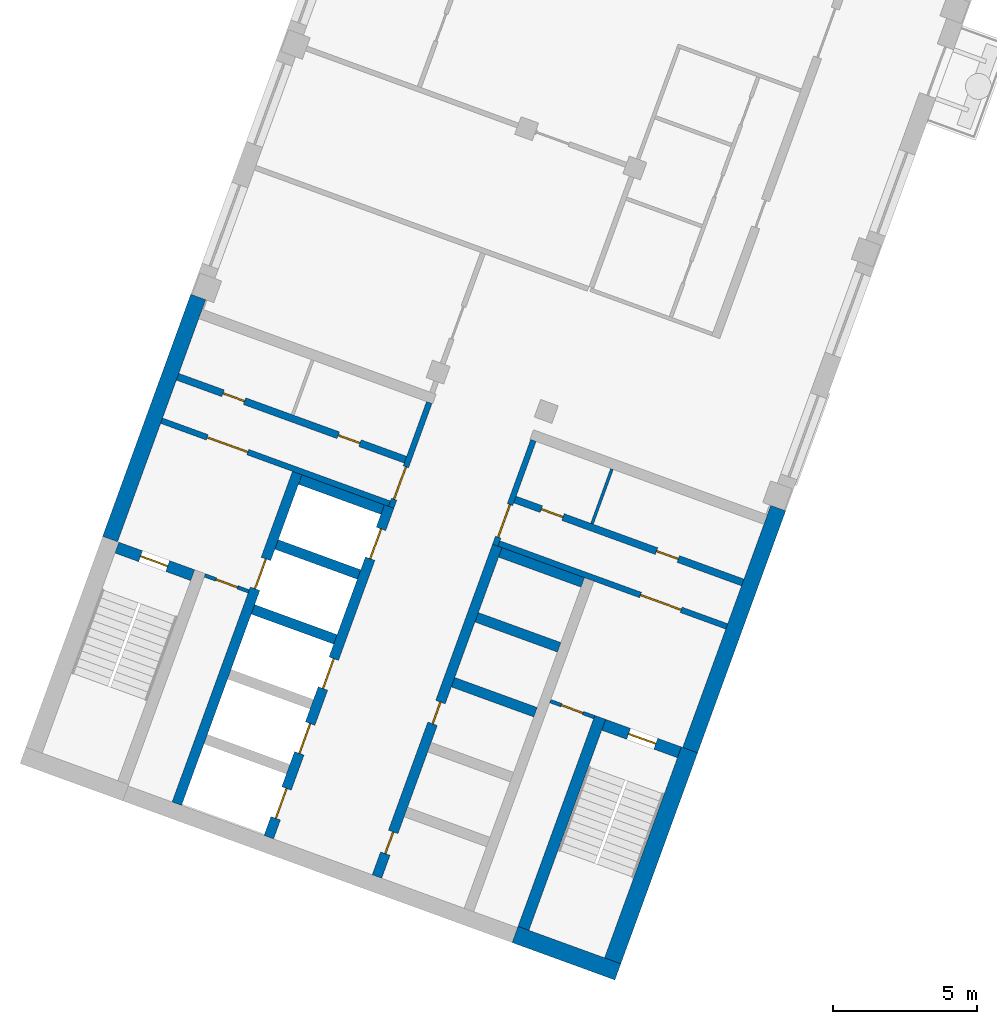
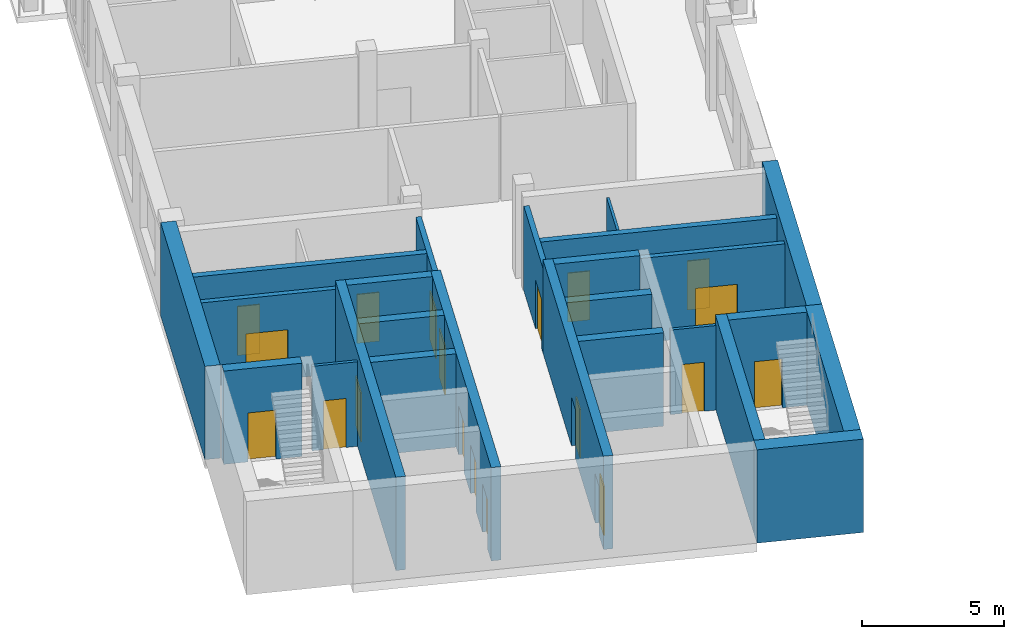
# One storey, part 2 of 10: 25 walls, 19 doors, 19 openings.
"""IFC4 building model written with IfcOpenShell, lengths in metres."""

from ifc_helpers import new_model, si_unit, direction, frame, frame_2d, origin, place, context, subcontext, project, spatial, rectangle, extrude, material, layer, layer_set, type_object, element, fill, save


model = new_model("IFC4")

# Units and contexts
model_context = context("Model", 3, precision=1e-05, world=origin(), true_north=direction((0.0, 1.0)))
body_context = subcontext(model_context, "Body", "Model", "MODEL_VIEW")
ifc_project = project(units=[si_unit("LENGTHUNIT", "METRE"), si_unit("AREAUNIT", "SQUARE_METRE"), si_unit("VOLUMEUNIT", "CUBIC_METRE"), si_unit("PLANEANGLEUNIT", "RADIAN"), si_unit("MASSUNIT", "GRAM", prefix="KILO")], contexts=[model_context])

# Site, building, storey
site_placement = place(None, origin())
site = spatial("IfcSite", under=ifc_project, at=site_placement, CompositionType="ELEMENT")
building_placement = place(site_placement, origin())
building = spatial("IfcBuilding", under=site, at=building_placement, Name="Skarvind Civic Tower", CompositionType="ELEMENT")
storey_placement = place(building_placement, frame((0.0, 0.0, 154.5)))
storey = spatial("IfcBuildingStorey", under=building, at=storey_placement, Name="L36", CompositionType="ELEMENT", Elevation=154.5)

# Wall, opening, door
ifc_material_1 = material(Name="Fire-rated masonry partition", Category="masonry")
ifc_layer_1 = layer(ifc_material_1, 0.199951171875)
ifc_layer_set_1 = layer_set([ifc_layer_1], Name="Core enclosure wall 200")
wall_type_1 = type_object("IfcWallType", Name="Core enclosure wall 200", PredefinedType="PARTITIONING", material=ifc_layer_set_1)
wall_1_placement = place(storey_placement, frame((31.45947265625, 93.67822265625, 0.0), z_axis=(0.0, 0.0, 1.0), x_axis=(0.341985870128, 0.939705094502, 0.0)))
wall_1 = element("IfcWall", 1, at=wall_1_placement, inside=storey, type_object=wall_type_1, Name="Core wall C2", PredefinedType="PARTITIONING", context=body_context, shape_type="SweptSolid", body=[
    extrude(rectangle(XDim=3.875, YDim=0.199951171875, at=frame_2d((1.9375, 0.0))), origin(), (0.0, 0.0, 1.0), 3.625),
])
opening_1_placement = place(wall_1_placement, frame((0.300048828125, 0.0, 0.0)))
opening_1 = element("IfcOpeningElement", 2, at=opening_1_placement, cuts=wall_1, Name="Opening D-L36-C2-07", PredefinedType="OPENING", context=body_context, shape_type="SweptSolid", body=[
    extrude(rectangle(XDim=1.199951171875, YDim=2.10009765625, at=frame_2d((0.60009765625, 1.050048828125))), frame((0.0, 0.10986328125, 0.0), z_axis=(0.0, -1.0, 0.0), x_axis=(1.0, 0.0, 0.0)), (0.0, 0.0, 1.0), 0.219970703125),
])
ifc_material_2 = material(Name="Fire-rated steel door", Category="steel")
door_type_1 = type_object("IfcDoorType", Name="Core lobby door 1200", OperationType="NOTDEFINED", PredefinedType="DOOR", material=ifc_material_2)
door_1_placement = place(opening_1_placement, origin())
door_1 = element("IfcDoor", 3, at=door_1_placement, inside=storey, type_object=door_type_1, Name="Fire door", OperationType="DOUBLE_DOOR_SINGLE_SWING", OverallHeight=2.10009765625, OverallWidth=1.199951171875, PredefinedType="DOOR", context=body_context, shape_type="SweptSolid", body=[
    extrude(rectangle(XDim=1.199951171875, YDim=2.10009765625, at=frame_2d((0.60009765625, 1.050048828125))), frame((0.0, 0.02490234375, 0.0), z_axis=(0.0, -1.0, 0.0), x_axis=(1.0, 0.0, 0.0)), (0.0, 0.0, 1.0), 0.050048828125),
])
fill(opening_1, door_1)

wall_2_placement = place(storey_placement, frame((23.482666015625, 96.68798828125, 0.0), z_axis=(0.0, 0.0, 1.0), x_axis=(0.939691007314, -0.342024576271, 0.0)))
wall_2 = element("IfcWall", 4, at=wall_2_placement, inside=storey, type_object=wall_type_1, Name="Core wall C2", PredefinedType="PARTITIONING", context=body_context, shape_type="SweptSolid", body=[
    extrude(rectangle(XDim=8.425048828125, YDim=0.199951171875, at=frame_2d((4.21240234375, 0.0))), origin(), (0.0, 0.0, 1.0), 3.625),
])
opening_2_placement = place(wall_2_placement, frame((1.6875, 0.0, 0.0)))
opening_2 = element("IfcOpeningElement", 5, at=opening_2_placement, cuts=wall_2, Name="Opening D-L36-C2-08", PredefinedType="OPENING", context=body_context, shape_type="SweptSolid", body=[
    extrude(rectangle(XDim=1.5, YDim=2.10009765625, at=frame_2d((0.75, 1.050048828125))), frame((0.0, 0.10986328125, 0.0), z_axis=(0.0, -1.0, 0.0), x_axis=(1.0, 0.0, 0.0)), (0.0, 0.0, 1.0), 0.219970703125),
])
door_type_2 = type_object("IfcDoorType", Name="Fire door 1500", OperationType="NOTDEFINED", PredefinedType="DOOR", material=ifc_material_2)
door_2_placement = place(opening_2_placement, origin())
door_2 = element("IfcDoor", 6, at=door_2_placement, inside=storey, type_object=door_type_2, Name="Fire door", OperationType="DOUBLE_DOOR_SINGLE_SWING", OverallHeight=2.10009765625, OverallWidth=1.5, PredefinedType="DOOR", context=body_context, shape_type="SweptSolid", body=[
    extrude(rectangle(XDim=1.5, YDim=2.10009765625, at=frame_2d((0.75, 1.050048828125))), frame((0.0, 0.02490234375, 0.0), z_axis=(0.0, -1.0, 0.0), x_axis=(1.0, 0.0, 0.0)), (0.0, 0.0, 1.0), 0.050048828125),
])
fill(opening_2, door_2)

wall_3_placement = place(storey_placement, frame((36.402587890625, 96.0029296875, 0.0), z_axis=(0.0, 0.0, 1.0), x_axis=(-0.342041503764, -0.939684845947, 0.0)))
wall_3 = element("IfcWall", 7, at=wall_3_placement, inside=storey, type_object=wall_type_1, Name="Core wall C2", PredefinedType="PARTITIONING", context=body_context, shape_type="SweptSolid", body=[
    extrude(rectangle(XDim=3.875, YDim=0.199951171875, at=frame_2d((1.9375, 0.0))), origin(), (0.0, 0.0, 1.0), 3.625),
])
opening_3_placement = place(wall_3_placement, frame((2.375, 0.0, 0.0)))
opening_3 = element("IfcOpeningElement", 8, at=opening_3_placement, cuts=wall_3, Name="Opening D-L36-C2-13", PredefinedType="OPENING", context=body_context, shape_type="SweptSolid", body=[
    extrude(rectangle(XDim=1.199951171875, YDim=2.10009765625, at=frame_2d((0.60009765625, 1.050048828125))), frame((0.0, 0.10986328125, 0.0), z_axis=(0.0, -1.0, 0.0), x_axis=(1.0, 0.0, 0.0)), (0.0, 0.0, 1.0), 0.219970703125),
])
door_3_placement = place(opening_3_placement, origin())
door_3 = element("IfcDoor", 9, at=door_3_placement, inside=storey, type_object=door_type_1, Name="Fire door", OperationType="DOUBLE_DOOR_SINGLE_SWING", OverallHeight=2.10009765625, OverallWidth=1.199951171875, PredefinedType="DOOR", context=body_context, shape_type="SweptSolid", body=[
    extrude(rectangle(XDim=1.199951171875, YDim=2.10009765625, at=frame_2d((0.60009765625, 1.050048828125))), frame((0.0, 0.02490234375, 0.0), z_axis=(0.0, -1.0, 0.0), x_axis=(1.0, 0.0, 0.0)), (0.0, 0.0, 1.0), 0.050048828125),
])
fill(opening_3, door_3)

wall_4_placement = place(storey_placement, frame((35.205322265625, 92.42138671875, 0.0), z_axis=(0.0, 0.0, 1.0), x_axis=(0.939691007314, -0.342024576271, 0.0)))
wall_4 = element("IfcWall", 10, at=wall_4_placement, inside=storey, type_object=wall_type_1, Name="Core wall C2", PredefinedType="PARTITIONING", context=body_context, shape_type="SweptSolid", body=[
    extrude(rectangle(XDim=8.425048828125, YDim=0.199951171875, at=frame_2d((4.21240234375, 0.0))), origin(), (0.0, 0.0, 1.0), 3.625),
])
opening_4_placement = place(wall_4_placement, frame((5.237548828125, 0.0, 0.0)))
opening_4 = element("IfcOpeningElement", 11, at=opening_4_placement, cuts=wall_4, Name="Opening D-L36-C2-14", PredefinedType="OPENING", context=body_context, shape_type="SweptSolid", body=[
    extrude(rectangle(XDim=1.5, YDim=2.10009765625, at=frame_2d((0.75, 1.050048828125))), frame((0.0, 0.10986328125, 0.0), z_axis=(0.0, -1.0, 0.0), x_axis=(1.0, 0.0, 0.0)), (0.0, 0.0, 1.0), 0.219970703125),
])
door_4_placement = place(opening_4_placement, origin())
door_4 = element("IfcDoor", 12, at=door_4_placement, inside=storey, type_object=door_type_2, Name="Fire door", OperationType="DOUBLE_DOOR_SINGLE_SWING", OverallHeight=2.10009765625, OverallWidth=1.5, PredefinedType="DOOR", context=body_context, shape_type="SweptSolid", body=[
    extrude(rectangle(XDim=1.5, YDim=2.10009765625, at=frame_2d((0.75, 1.050048828125))), frame((0.0, 0.02490234375, 0.0), z_axis=(0.0, -1.0, 0.0), x_axis=(1.0, 0.0, 0.0)), (0.0, 0.0, 1.0), 0.050048828125),
])
fill(opening_4, door_4)

# Wall
ifc_material_3 = material(Name="Fire-rated plasterboard partition")
ifc_layer_2 = layer(ifc_material_3, 0.10009765625)
ifc_layer_set_2 = layer_set([ifc_layer_2], Name="Core partition wall 100")
wall_type_2 = type_object("IfcWallType", Name="Core partition wall 100", PredefinedType="PARTITIONING", material=ifc_layer_set_2)
wall_5_placement = place(storey_placement, frame((39.13232421875, 95.00927734375, 0.0), z_axis=(0.0, 0.0, 1.0), x_axis=(-0.342043138314, -0.939684250976, 0.0)))
element("IfcWall", 13, at=wall_5_placement, inside=storey, type_object=wall_type_2, Name="Core wall C2", PredefinedType="PARTITIONING", context=body_context, shape_type="SweptSolid", body=[
    extrude(rectangle(XDim=2.02490234375, YDim=0.10009765625, at=frame_2d((1.012451171875, 0.0))), origin(), (0.0, 0.0, 1.0), 3.625),
])

# Wall, openings, doors
ifc_material_4 = material(Name="Concrete C60", Category="concrete")
ifc_layer_3 = layer(ifc_material_4, 0.35009765625)
ifc_layer_set_3 = layer_set([ifc_layer_3], Name="Core wall 350 C60")
wall_type_3 = type_object("IfcWallType", Name="Core wall 350 C60", PredefinedType="SHEAR", material=ifc_layer_set_3)
wall_6_placement = place(storey_placement, frame((30.966552734375, 80.84814453125, 0.0), z_axis=(0.0, 0.0, 1.0), x_axis=(0.34201563943, 0.939694260058, 0.0)))
wall_6 = element("IfcWall", 14, at=wall_6_placement, inside=storey, type_object=wall_type_3, Name="Core wall C2 south lift row front L36", PredefinedType="SHEAR", context=body_context, shape_type="SweptSolid", body=[
    extrude(rectangle(XDim=12.22509765625, YDim=0.35009765625, at=frame_2d((6.112548828125, 0.0))), origin(), (0.0, 0.0, 1.0), 4.0),
])
opening_5_placement = place(wall_6_placement, frame((0.85009765625, 0.0, 0.0)))
opening_5 = element("IfcOpeningElement", 15, at=opening_5_placement, cuts=wall_6, Name="Opening D-L36-C2-05", PredefinedType="OPENING", context=body_context, shape_type="SweptSolid", body=[
    extrude(rectangle(XDim=0.800048828125, YDim=2.10009765625, at=frame_2d((0.39990234375, 1.050048828125))), frame((0.0, 0.18505859375, 0.0), z_axis=(0.0, -1.0, 0.0), x_axis=(1.0, 0.0, 0.0)), (0.0, 0.0, 1.0), 0.3701171875),
])
opening_6_placement = place(wall_6_placement, frame((5.64990234375, 0.0, 0.0)))
opening_6 = element("IfcOpeningElement", 16, at=opening_6_placement, cuts=wall_6, Name="Opening D-L36-C2-06", PredefinedType="OPENING", context=body_context, shape_type="SweptSolid", body=[
    extrude(rectangle(XDim=0.800048828125, YDim=2.10009765625, at=frame_2d((0.39990234375, 1.050048828125))), frame((0.0, 0.18505859375, 0.0), z_axis=(0.0, -1.0, 0.0), x_axis=(1.0, 0.0, 0.0)), (0.0, 0.0, 1.0), 0.3701171875),
])
door_type_3 = type_object("IfcDoorType", Name="Core riser door 800", OperationType="NOTDEFINED", PredefinedType="DOOR", material=ifc_material_2)
door_5_placement = place(opening_5_placement, origin())
door_5 = element("IfcDoor", 17, at=door_5_placement, inside=storey, type_object=door_type_3, Name="Riser door", OperationType="SINGLE_SWING_LEFT", OverallHeight=2.10009765625, OverallWidth=0.800048828125, PredefinedType="DOOR", context=body_context, shape_type="SweptSolid", body=[
    extrude(rectangle(XDim=0.800048828125, YDim=2.10009765625, at=frame_2d((0.39990234375, 1.050048828125))), frame((0.0, 0.02490234375, 0.0), z_axis=(0.0, -1.0, 0.0), x_axis=(1.0, 0.0, 0.0)), (0.0, 0.0, 1.0), 0.050048828125),
])
fill(opening_5, door_5)
door_6_placement = place(opening_6_placement, origin())
door_6 = element("IfcDoor", 18, at=door_6_placement, inside=storey, type_object=door_type_3, Name="Riser door", OperationType="SINGLE_SWING_RIGHT", OverallHeight=2.10009765625, OverallWidth=0.800048828125, PredefinedType="DOOR", context=body_context, shape_type="SweptSolid", body=[
    extrude(rectangle(XDim=0.800048828125, YDim=2.10009765625, at=frame_2d((0.39990234375, 1.050048828125))), frame((0.0, 0.02490234375, 0.0), z_axis=(0.0, -1.0, 0.0), x_axis=(1.0, 0.0, 0.0)), (0.0, 0.0, 1.0), 0.050048828125),
])
fill(opening_6, door_6)

# Walls
for number, where, z_axis, x_axis, name in (
    (19, (36.4765625, 86.557861328125, 0.0), (0.0, 0.0, 1.0), (-0.939683528043, 0.3420451244, 0.0), "Core wall C2 south lift row division 3 L36"),
    (20, (37.297607421875, 88.813232421875, 0.0), (0.0, 0.0, 1.0), (-0.939692892192, 0.342019397644, 0.0), "Core wall C2 south lift row division 4 L36"),
    (21, (38.118408203125, 91.068359375, 0.0), (0.0, 0.0, 1.0), (-0.939692892192, 0.342019397644, 0.0), "Core wall C2 south lift row division 5 L36"),
):
    element("IfcWall", number, at=place(storey_placement, frame(where, z_axis=z_axis, x_axis=x_axis)), inside=storey, type_object=wall_type_3, Name=name, PredefinedType="SHEAR", context=body_context, shape_type="SweptSolid", body=[
        extrude(rectangle(XDim=3.050048828125, YDim=0.35009765625, at=frame_2d((1.52490234375, 0.0))), origin(), (0.0, 0.0, 1.0), 4.0),
    ])

# Wall, openings, doors
wall_7_placement = place(storey_placement, frame((27.207763671875, 82.21630859375, 0.0), z_axis=(0.0, 0.0, 1.0), x_axis=(0.34201563943, 0.939694260058, 0.0)))
wall_7 = element("IfcWall", 22, at=wall_7_placement, inside=storey, type_object=wall_type_3, Name="Core wall C2 north lift row front L36", PredefinedType="SHEAR", context=body_context, shape_type="SweptSolid", body=[
    extrude(rectangle(XDim=12.22509765625, YDim=0.35009765625, at=frame_2d((6.112548828125, 0.0))), origin(), (0.0, 0.0, 1.0), 4.0),
])
opening_7_placement = place(wall_7_placement, frame((0.699951171875, 0.0, 0.0)))
opening_7 = element("IfcOpeningElement", 23, at=opening_7_placement, cuts=wall_7, Name="Opening LD38201", PredefinedType="OPENING", context=body_context, shape_type="SweptSolid", body=[
    extrude(rectangle(XDim=1.10009765625, YDim=2.10009765625, at=frame_2d((0.550048828125, 1.050048828125))), frame((0.0, 0.18505859375, 0.0), z_axis=(0.0, -1.0, 0.0), x_axis=(1.0, 0.0, 0.0)), (0.0, 0.0, 1.0), 0.3701171875),
])
opening_8_placement = place(wall_7_placement, frame((3.10009765625, 0.0, 0.0)))
opening_8 = element("IfcOpeningElement", 24, at=opening_8_placement, cuts=wall_7, Name="Opening LD38202", PredefinedType="OPENING", context=body_context, shape_type="SweptSolid", body=[
    extrude(rectangle(XDim=1.10009765625, YDim=2.10009765625, at=frame_2d((0.550048828125, 1.050048828125))), frame((0.0, 0.18505859375, 0.0), z_axis=(0.0, -1.0, 0.0), x_axis=(1.0, 0.0, 0.0)), (0.0, 0.0, 1.0), 0.3701171875),
])
opening_9_placement = place(wall_7_placement, frame((5.5, 0.0, 0.0)))
opening_9 = element("IfcOpeningElement", 25, at=opening_9_placement, cuts=wall_7, Name="Opening LD38203", PredefinedType="OPENING", context=body_context, shape_type="SweptSolid", body=[
    extrude(rectangle(XDim=1.10009765625, YDim=2.10009765625, at=frame_2d((0.550048828125, 1.050048828125))), frame((0.0, 0.18505859375, 0.0), z_axis=(0.0, -1.0, 0.0), x_axis=(1.0, 0.0, 0.0)), (0.0, 0.0, 1.0), 0.3701171875),
])
opening_10_placement = place(wall_7_placement, frame((10.300048828125, 0.0, 0.0)))
opening_10 = element("IfcOpeningElement", 26, at=opening_10_placement, cuts=wall_7, Name="Opening LD38205", PredefinedType="OPENING", context=body_context, shape_type="SweptSolid", body=[
    extrude(rectangle(XDim=1.10009765625, YDim=2.10009765625, at=frame_2d((0.550048828125, 1.050048828125))), frame((0.0, 0.18505859375, 0.0), z_axis=(0.0, -1.0, 0.0), x_axis=(1.0, 0.0, 0.0)), (0.0, 0.0, 1.0), 0.3701171875),
])
ifc_material_5 = material(Name="Stainless steel landing door", Category="steel")
door_type_4 = type_object("IfcDoorType", Name="Lift landing door 1100", OperationType="DOUBLE_DOOR_SLIDING", PredefinedType="DOOR", material=ifc_material_5)
door_7_placement = place(opening_7_placement, origin())
door_7 = element("IfcDoor", 27, at=door_7_placement, inside=storey, type_object=door_type_4, Name="Lift landing door", OperationType="DOUBLE_DOOR_SLIDING", OverallHeight=2.10009765625, OverallWidth=1.10009765625, PredefinedType="DOOR", context=body_context, shape_type="SweptSolid", body=[
    extrude(rectangle(XDim=1.10009765625, YDim=2.10009765625, at=frame_2d((0.550048828125, 1.050048828125))), frame((0.0, 0.02490234375, 0.0), z_axis=(0.0, -1.0, 0.0), x_axis=(1.0, 0.0, 0.0)), (0.0, 0.0, 1.0), 0.050048828125),
])
fill(opening_7, door_7)
door_8_placement = place(opening_8_placement, origin())
door_8 = element("IfcDoor", 28, at=door_8_placement, inside=storey, type_object=door_type_4, Name="Lift landing door", OperationType="DOUBLE_DOOR_SLIDING", OverallHeight=2.10009765625, OverallWidth=1.10009765625, PredefinedType="DOOR", context=body_context, shape_type="SweptSolid", body=[
    extrude(rectangle(XDim=1.10009765625, YDim=2.10009765625, at=frame_2d((0.550048828125, 1.050048828125))), frame((0.0, 0.02490234375, 0.0), z_axis=(0.0, -1.0, 0.0), x_axis=(1.0, 0.0, 0.0)), (0.0, 0.0, 1.0), 0.050048828125),
])
fill(opening_8, door_8)
door_9_placement = place(opening_9_placement, origin())
door_9 = element("IfcDoor", 29, at=door_9_placement, inside=storey, type_object=door_type_4, Name="Lift landing door", OperationType="DOUBLE_DOOR_SLIDING", OverallHeight=2.10009765625, OverallWidth=1.10009765625, PredefinedType="DOOR", context=body_context, shape_type="SweptSolid", body=[
    extrude(rectangle(XDim=1.10009765625, YDim=2.10009765625, at=frame_2d((0.550048828125, 1.050048828125))), frame((0.0, 0.02490234375, 0.0), z_axis=(0.0, -1.0, 0.0), x_axis=(1.0, 0.0, 0.0)), (0.0, 0.0, 1.0), 0.050048828125),
])
fill(opening_9, door_9)
door_10_placement = place(opening_10_placement, origin())
door_10 = element("IfcDoor", 30, at=door_10_placement, inside=storey, type_object=door_type_4, Name="Lift landing door", OperationType="DOUBLE_DOOR_SLIDING", OverallHeight=2.10009765625, OverallWidth=1.10009765625, PredefinedType="DOOR", context=body_context, shape_type="SweptSolid", body=[
    extrude(rectangle(XDim=1.10009765625, YDim=2.10009765625, at=frame_2d((0.550048828125, 1.050048828125))), frame((0.0, 0.02490234375, 0.0), z_axis=(0.0, -1.0, 0.0), x_axis=(1.0, 0.0, 0.0)), (0.0, 0.0, 1.0), 0.050048828125),
])
fill(opening_10, door_10)

# Wall, opening, door
wall_8_placement = place(storey_placement, frame((24.0126953125, 83.379150390625, 0.0), z_axis=(0.0, 0.0, 1.0), x_axis=(0.34201563943, 0.939694260058, 0.0)))
wall_8 = element("IfcWall", 31, at=wall_8_placement, inside=storey, type_object=wall_type_3, Name="Core wall C2 north lift row back L36", PredefinedType="SHEAR", context=body_context, shape_type="SweptSolid", body=[
    extrude(rectangle(XDim=12.22509765625, YDim=0.35009765625, at=frame_2d((6.112548828125, 0.0))), origin(), (0.0, 0.0, 1.0), 4.0),
])
opening_11_placement = place(wall_8_placement, frame((7.949951171875, 0.0, 0.0)))
opening_11 = element("IfcOpeningElement", 32, at=opening_11_placement, cuts=wall_8, Name="Opening LD38204", PredefinedType="OPENING", context=body_context, shape_type="SweptSolid", body=[
    extrude(rectangle(XDim=1.10009765625, YDim=2.10009765625, at=frame_2d((0.550048828125, 1.050048828125))), frame((0.0, 0.18505859375, 0.0), z_axis=(0.0, -1.0, 0.0), x_axis=(1.0, 0.0, 0.0)), (0.0, 0.0, 1.0), 0.3701171875),
])
door_11_placement = place(opening_11_placement, origin())
door_11 = element("IfcDoor", 33, at=door_11_placement, inside=storey, type_object=door_type_4, Name="Lift landing door", OperationType="DOUBLE_DOOR_SLIDING", OverallHeight=2.10009765625, OverallWidth=1.10009765625, PredefinedType="DOOR", context=body_context, shape_type="SweptSolid", body=[
    extrude(rectangle(XDim=1.10009765625, YDim=2.10009765625, at=frame_2d((0.550048828125, 1.050048828125))), frame((0.0, 0.02490234375, 0.0), z_axis=(0.0, -1.0, 0.0), x_axis=(1.0, 0.0, 0.0)), (0.0, 0.0, 1.0), 0.050048828125),
])
fill(opening_11, door_11)

# Walls
wall_9_placement = place(storey_placement, frame((29.52294921875, 89.0888671875, 0.0), z_axis=(0.0, 0.0, 1.0), x_axis=(-0.939692892192, 0.342019397644, 0.0)))
element("IfcWall", 34, at=wall_9_placement, inside=storey, type_object=wall_type_3, Name="Core wall C2 north lift row division 3 L36", PredefinedType="SHEAR", context=body_context, shape_type="SweptSolid", body=[
    extrude(rectangle(XDim=3.050048828125, YDim=0.35009765625, at=frame_2d((1.52490234375, 0.0))), origin(), (0.0, 0.0, 1.0), 4.0),
])
wall_10_placement = place(storey_placement, frame((30.34375, 91.34423828125, 0.0), z_axis=(0.0, 0.0, 1.0), x_axis=(-0.939709254651, 0.341974438698, 0.0)))
element("IfcWall", 35, at=wall_10_placement, inside=storey, type_object=wall_type_3, Name="Core wall C2 north lift row division 4 L36", PredefinedType="SHEAR", context=body_context, shape_type="SweptSolid", body=[
    extrude(rectangle(XDim=3.0498046875, YDim=0.35009765625, at=frame_2d((1.52490234375, 0.0))), origin(), (0.0, 0.0, 1.0), 4.0),
])
wall_11_placement = place(storey_placement, frame((31.16455078125, 93.599365234375, 0.0), z_axis=(0.0, 0.0, 1.0), x_axis=(-0.939683528043, 0.3420451244, 0.0)))
element("IfcWall", 36, at=wall_11_placement, inside=storey, type_object=wall_type_3, Name="Core wall C2 north lift row division 5 L36", PredefinedType="SHEAR", context=body_context, shape_type="SweptSolid", body=[
    extrude(rectangle(XDim=3.050048828125, YDim=0.35009765625, at=frame_2d((1.52490234375, 0.0))), origin(), (0.0, 0.0, 1.0), 4.0),
])
ifc_layer_4 = layer(ifc_material_4, 0.39990234375)
ifc_layer_set_4 = layer_set([ifc_layer_4], Name="Core wall 400 C60")
wall_type_4 = type_object("IfcWallType", Name="Core wall 400 C60", PredefinedType="SHEAR", material=ifc_layer_set_4)
wall_12_placement = place(storey_placement, frame((36.057861328125, 79.04833984375, 0.0), z_axis=(0.0, 0.0, 1.0), x_axis=(0.342016982193, 0.939693771338, 0.0)))
element("IfcWall", 37, at=wall_12_placement, inside=storey, type_object=wall_type_4, Name="Core wall C2 south stair inner L36", PredefinedType="SHEAR", context=body_context, shape_type="SweptSolid", body=[
    extrude(rectangle(XDim=7.800048828125, YDim=0.39990234375, at=frame_2d((3.89990234375, 0.0))), origin(), (0.0, 0.0, 1.0), 4.0),
])

# Wall, opening, door
wall_13_placement = place(storey_placement, frame((41.476318359375, 85.163818359375, 0.0), z_axis=(0.0, 0.0, 1.0), x_axis=(-0.939678810556, 0.342058084236, 0.0)))
wall_13 = element("IfcWall", 38, at=wall_13_placement, inside=storey, type_object=wall_type_4, Name="Core wall C2 south stair end L36", PredefinedType="SHEAR", context=body_context, shape_type="SweptSolid", body=[
    extrude(rectangle(XDim=2.800048828125, YDim=0.39990234375, at=frame_2d((1.39990234375, 0.0))), origin(), (0.0, 0.0, 1.0), 4.0),
])
opening_12_placement = place(wall_13_placement, frame((0.875, 0.0, 0.0)))
opening_12 = element("IfcOpeningElement", 39, at=opening_12_placement, cuts=wall_13, Name="Opening D-L36-C2-15", PredefinedType="OPENING", context=body_context, shape_type="SweptSolid", body=[
    extrude(rectangle(XDim=1.0, YDim=2.10009765625, at=frame_2d((0.5, 1.050048828125))), frame((0.0, 0.2099609375, 0.0), z_axis=(0.0, -1.0, 0.0), x_axis=(1.0, 0.0, 0.0)), (0.0, 0.0, 1.0), 0.419921875),
])
door_type_5 = type_object("IfcDoorType", Name="Fire door 1000", OperationType="NOTDEFINED", PredefinedType="DOOR", material=ifc_material_2)
door_12_placement = place(opening_12_placement, origin())
door_12 = element("IfcDoor", 40, at=door_12_placement, inside=storey, type_object=door_type_5, Name="Fire door", OperationType="SINGLE_SWING_RIGHT", OverallHeight=2.10009765625, OverallWidth=1.0, PredefinedType="DOOR", context=body_context, shape_type="SweptSolid", body=[
    extrude(rectangle(XDim=1.0, YDim=2.10009765625, at=frame_2d((0.5, 1.050048828125))), frame((0.0, 0.02490234375, 0.0), z_axis=(0.0, -1.0, 0.0), x_axis=(1.0, 0.0, 0.0)), (0.0, 0.0, 1.0), 0.050048828125),
])
fill(opening_12, door_12)

wall_14_placement = place(storey_placement, frame((24.56201171875, 91.3203125, 0.0), z_axis=(0.0, 0.0, 1.0), x_axis=(-0.939717030584, 0.341953070509, 0.0)))
wall_14 = element("IfcWall", 41, at=wall_14_placement, inside=storey, type_object=wall_type_4, Name="Core wall C2 north stair end L36", PredefinedType="SHEAR", context=body_context, shape_type="SweptSolid", body=[
    extrude(rectangle(XDim=2.800048828125, YDim=0.39990234375, at=frame_2d((1.39990234375, 0.0))), origin(), (0.0, 0.0, 1.0), 4.0),
])
opening_13_placement = place(wall_14_placement, frame((0.925048828125, 0.0, 0.0)))
opening_13 = element("IfcOpeningElement", 42, at=opening_13_placement, cuts=wall_14, Name="Opening D-L36-C2-09", PredefinedType="OPENING", context=body_context, shape_type="SweptSolid", body=[
    extrude(rectangle(XDim=1.0, YDim=2.10009765625, at=frame_2d((0.5, 1.050048828125))), frame((0.0, 0.2099609375, 0.0), z_axis=(0.0, -1.0, 0.0), x_axis=(1.0, 0.0, 0.0)), (0.0, 0.0, 1.0), 0.419921875),
])
door_13_placement = place(opening_13_placement, origin())
door_13 = element("IfcDoor", 43, at=door_13_placement, inside=storey, type_object=door_type_5, Name="Fire door", OperationType="SINGLE_SWING_LEFT", OverallHeight=2.10009765625, OverallWidth=1.0, PredefinedType="DOOR", context=body_context, shape_type="SweptSolid", body=[
    extrude(rectangle(XDim=1.0, YDim=2.10009765625, at=frame_2d((0.5, 1.050048828125))), frame((0.0, 0.02490234375, 0.0), z_axis=(0.0, -1.0, 0.0), x_axis=(1.0, 0.0, 0.0)), (0.0, 0.0, 1.0), 0.050048828125),
])
fill(opening_13, door_13)

# Walls
ifc_layer_5 = layer(ifc_material_4, 0.550048828125)
ifc_layer_set_5 = layer_set([ifc_layer_5], Name="Core wall 550 C60")
wall_type_5 = type_object("IfcWallType", Name="Core wall 550 C60", PredefinedType="SHEAR", material=ifc_layer_set_5)
wall_15_placement = place(storey_placement, frame((41.85009765625, 85.24072265625, 0.0), z_axis=(0.0, 0.0, 1.0), x_axis=(0.34201902012, 0.939693029598, 0.0)))
element("IfcWall", 44, at=wall_15_placement, inside=storey, type_object=wall_type_5, Name="Core wall C2 south side L36", PredefinedType="SHEAR", context=body_context, shape_type="SweptSolid", body=[
    extrude(rectangle(XDim=8.949951171875, YDim=0.550048828125, at=frame_2d((4.47509765625, 0.0))), origin(), (0.0, 0.0, 1.0), 4.0),
])
wall_16_placement = place(storey_placement, frame((21.69384765625, 92.576904296875, 0.0), z_axis=(0.0, 0.0, 1.0), x_axis=(0.342010253184, 0.939696220444, 0.0)))
element("IfcWall", 45, at=wall_16_placement, inside=storey, type_object=wall_type_5, Name="Core wall C2 north side L36", PredefinedType="SHEAR", context=body_context, shape_type="SweptSolid", body=[
    extrude(rectangle(XDim=8.9501953125, YDim=0.550048828125, at=frame_2d((4.47509765625, 0.0))), origin(), (0.0, 0.0, 1.0), 4.0),
])
ifc_layer_6 = layer(ifc_material_4, 0.60009765625)
ifc_layer_set_6 = layer_set([ifc_layer_6], Name="Core wall 600 C60")
wall_type_6 = type_object("IfcWallType", Name="Core wall 600 C60", PredefinedType="SHEAR", material=ifc_layer_set_6)
wall_17_placement = place(storey_placement, frame((39.338134765625, 77.53515625, 0.0), z_axis=(0.0, 0.0, 1.0), x_axis=(-0.939701471648, 0.341995824804, 0.0)))
element("IfcWall", 46, at=wall_17_placement, inside=storey, type_object=wall_type_6, Name="Core wall C2 tip at the south stair L36", PredefinedType="SHEAR", context=body_context, shape_type="SweptSolid", body=[
    extrude(rectangle(XDim=3.800048828125, YDim=0.60009765625, at=frame_2d((1.89990234375, 0.0))), origin(), (0.0, 0.0, 1.0), 4.0),
])
wall_18_placement = place(storey_placement, frame((39.158935546875, 77.919677734375, 0.0), z_axis=(0.0, 0.0, 1.0), x_axis=(0.342016982193, 0.939693771338, 0.0)))
element("IfcWall", 47, at=wall_18_placement, inside=storey, type_object=wall_type_6, Name="Core wall C2 south side at the stair L36", PredefinedType="SHEAR", context=body_context, shape_type="SweptSolid", body=[
    extrude(rectangle(XDim=7.800048828125, YDim=0.60009765625, at=frame_2d((3.89990234375, 0.0))), origin(), (0.0, 0.0, 1.0), 4.0),
])

# Wall, opening, door
ifc_layer_7 = layer(ifc_material_1, 0.125)
ifc_layer_set_7 = layer_set([ifc_layer_7], Name="Riser wall 125")
wall_type_7 = type_object("IfcWallType", Name="Riser wall 125", PredefinedType="PARTITIONING", material=ifc_layer_set_7)
wall_19_placement = place(storey_placement, frame((24.98486328125, 91.3125, 0.0), z_axis=(0.0, 0.0, 1.0), x_axis=(0.939705651352, -0.341984340019, 0.0)))
wall_19 = element("IfcWall", 48, at=wall_19_placement, inside=storey, type_object=wall_type_7, Name="Core wall C2", PredefinedType="PARTITIONING", context=body_context, shape_type="SweptSolid", body=[
    extrude(rectangle(XDim=1.624755859375, YDim=0.125, at=frame_2d((0.8125, 0.0))), origin(), (0.0, 0.0, 1.0), 3.625),
])
opening_14_placement = place(wall_19_placement, frame((0.41259765625, 0.0, 0.0)))
opening_14 = element("IfcOpeningElement", 49, at=opening_14_placement, cuts=wall_19, Name="Opening D-L36-C2-10", PredefinedType="OPENING", context=body_context, shape_type="SweptSolid", body=[
    extrude(rectangle(XDim=0.800048828125, YDim=2.10009765625, at=frame_2d((0.39990234375, 1.050048828125))), frame((0.0, 0.072509765625, 0.0), z_axis=(0.0, -1.0, 0.0), x_axis=(1.0, 0.0, 0.0)), (0.0, 0.0, 1.0), 0.14501953125),
])
door_14_placement = place(opening_14_placement, origin())
door_14 = element("IfcDoor", 50, at=door_14_placement, inside=storey, type_object=door_type_3, Name="Riser door", OperationType="SINGLE_SWING_RIGHT", OverallHeight=2.10009765625, OverallWidth=0.800048828125, PredefinedType="DOOR", context=body_context, shape_type="SweptSolid", body=[
    extrude(rectangle(XDim=0.800048828125, YDim=2.10009765625, at=frame_2d((0.39990234375, 1.050048828125))), frame((0.0, 0.02490234375, 0.0), z_axis=(0.0, -1.0, 0.0), x_axis=(1.0, 0.0, 0.0)), (0.0, 0.0, 1.0), 0.050048828125),
])
fill(opening_14, door_14)

wall_20_placement = place(storey_placement, frame((36.989501953125, 86.943359375, 0.0), z_axis=(0.0, 0.0, 1.0), x_axis=(0.939657357267, -0.342117013511, 0.0)))
wall_20 = element("IfcWall", 51, at=wall_20_placement, inside=storey, type_object=wall_type_7, Name="Core wall C2", PredefinedType="PARTITIONING", context=body_context, shape_type="SweptSolid", body=[
    extrude(rectangle(XDim=1.625, YDim=0.125, at=frame_2d((0.8125, 0.0))), origin(), (0.0, 0.0, 1.0), 3.625),
])
opening_15_placement = place(wall_20_placement, frame((0.41259765625, 0.0, 0.0)))
opening_15 = element("IfcOpeningElement", 52, at=opening_15_placement, cuts=wall_20, Name="Opening D-L36-C2-16", PredefinedType="OPENING", context=body_context, shape_type="SweptSolid", body=[
    extrude(rectangle(XDim=0.800048828125, YDim=2.10009765625, at=frame_2d((0.39990234375, 1.050048828125))), frame((0.0, 0.072509765625, 0.0), z_axis=(0.0, -1.0, 0.0), x_axis=(1.0, 0.0, 0.0)), (0.0, 0.0, 1.0), 0.14501953125),
])
door_15_placement = place(opening_15_placement, origin())
door_15 = element("IfcDoor", 53, at=door_15_placement, inside=storey, type_object=door_type_3, Name="Riser door", OperationType="SINGLE_SWING_LEFT", OverallHeight=2.10009765625, OverallWidth=0.800048828125, PredefinedType="DOOR", context=body_context, shape_type="SweptSolid", body=[
    extrude(rectangle(XDim=0.800048828125, YDim=2.10009765625, at=frame_2d((0.39990234375, 1.050048828125))), frame((0.0, 0.02490234375, 0.0), z_axis=(0.0, -1.0, 0.0), x_axis=(1.0, 0.0, 0.0)), (0.0, 0.0, 1.0), 0.050048828125),
])
fill(opening_15, door_15)

# Wall, openings, doors
ifc_layer_8 = layer(ifc_material_1, 0.25)
ifc_layer_set_8 = layer_set([ifc_layer_8], Name="Service block wall 250")
wall_type_8 = type_object("IfcWallType", Name="Service block wall 250", PredefinedType="PARTITIONING", material=ifc_layer_set_8)
wall_21_placement = place(storey_placement, frame((24.03857421875, 98.215087890625, 0.0), z_axis=(0.0, 0.0, 1.0), x_axis=(0.939687617333, -0.342033889887, 0.0)))
wall_21 = element("IfcWall", 54, at=wall_21_placement, inside=storey, type_object=wall_type_8, Name="Core wall C2", PredefinedType="PARTITIONING", context=body_context, shape_type="SweptSolid", body=[
    extrude(rectangle(XDim=8.4248046875, YDim=0.25, at=frame_2d((4.21240234375, 0.0))), origin(), (0.0, 0.0, 1.0), 3.625),
])
opening_16_placement = place(wall_21_placement, frame((5.9423828125, 0.0, 0.0)))
opening_16 = element("IfcOpeningElement", 55, at=opening_16_placement, cuts=wall_21, Name="Opening D-L36-C2-11", PredefinedType="OPENING", context=body_context, shape_type="SweptSolid", body=[
    extrude(rectangle(XDim=0.800048828125, YDim=2.10009765625, at=frame_2d((0.39990234375, 1.050048828125))), frame((0.0, 0.135009765625, 0.0), z_axis=(0.0, -1.0, 0.0), x_axis=(1.0, 0.0, 0.0)), (0.0, 0.0, 1.0), 0.27001953125),
])
opening_17_placement = place(wall_21_placement, frame((1.679931640625, 0.0, 0.0)))
opening_17 = element("IfcOpeningElement", 56, at=opening_17_placement, cuts=wall_21, Name="Opening D-L36-C2-12", PredefinedType="OPENING", context=body_context, shape_type="SweptSolid", body=[
    extrude(rectangle(XDim=0.800048828125, YDim=2.10009765625, at=frame_2d((0.39990234375, 1.050048828125))), frame((0.0, 0.135009765625, 0.0), z_axis=(0.0, -1.0, 0.0), x_axis=(1.0, 0.0, 0.0)), (0.0, 0.0, 1.0), 0.27001953125),
])
door_16_placement = place(opening_16_placement, origin())
door_16 = element("IfcDoor", 57, at=door_16_placement, inside=storey, type_object=door_type_3, Name="Riser door", OperationType="SINGLE_SWING_LEFT", OverallHeight=2.10009765625, OverallWidth=0.800048828125, PredefinedType="DOOR", context=body_context, shape_type="SweptSolid", body=[
    extrude(rectangle(XDim=0.800048828125, YDim=2.10009765625, at=frame_2d((0.39990234375, 1.050048828125))), frame((0.0, 0.02490234375, 0.0), z_axis=(0.0, -1.0, 0.0), x_axis=(1.0, 0.0, 0.0)), (0.0, 0.0, 1.0), 0.050048828125),
])
fill(opening_16, door_16)
door_17_placement = place(opening_17_placement, origin())
door_17 = element("IfcDoor", 58, at=door_17_placement, inside=storey, type_object=door_type_3, Name="Riser door", OperationType="SINGLE_SWING_RIGHT", OverallHeight=2.10009765625, OverallWidth=0.800048828125, PredefinedType="DOOR", context=body_context, shape_type="SweptSolid", body=[
    extrude(rectangle(XDim=0.800048828125, YDim=2.10009765625, at=frame_2d((0.39990234375, 1.050048828125))), frame((0.0, 0.02490234375, 0.0), z_axis=(0.0, -1.0, 0.0), x_axis=(1.0, 0.0, 0.0)), (0.0, 0.0, 1.0), 0.050048828125),
])
fill(opening_17, door_17)

wall_22_placement = place(storey_placement, frame((35.76123046875, 93.9482421875, 0.0), z_axis=(0.0, 0.0, 1.0), x_axis=(0.93969693093, -0.342008301071, 0.0)))
wall_22 = element("IfcWall", 59, at=wall_22_placement, inside=storey, type_object=wall_type_8, Name="Core wall C2", PredefinedType="PARTITIONING", context=body_context, shape_type="SweptSolid", body=[
    extrude(rectangle(XDim=8.4248046875, YDim=0.25, at=frame_2d((4.21240234375, 0.0))), origin(), (0.0, 0.0, 1.0), 3.625),
])
opening_18_placement = place(wall_22_placement, frame((0.9775390625, 0.0, 0.0)))
opening_18 = element("IfcOpeningElement", 60, at=opening_18_placement, cuts=wall_22, Name="Opening D-L36-C2-17", PredefinedType="OPENING", context=body_context, shape_type="SweptSolid", body=[
    extrude(rectangle(XDim=0.800048828125, YDim=2.10009765625, at=frame_2d((0.39990234375, 1.050048828125))), frame((0.0, 0.135009765625, 0.0), z_axis=(0.0, -1.0, 0.0), x_axis=(1.0, 0.0, 0.0)), (0.0, 0.0, 1.0), 0.27001953125),
])
opening_19_placement = place(wall_22_placement, frame((5.239990234375, 0.0, 0.0)))
opening_19 = element("IfcOpeningElement", 61, at=opening_19_placement, cuts=wall_22, Name="Opening D-L36-C2-18", PredefinedType="OPENING", context=body_context, shape_type="SweptSolid", body=[
    extrude(rectangle(XDim=0.800048828125, YDim=2.10009765625, at=frame_2d((0.39990234375, 1.050048828125))), frame((0.0, 0.135009765625, 0.0), z_axis=(0.0, -1.0, 0.0), x_axis=(1.0, 0.0, 0.0)), (0.0, 0.0, 1.0), 0.27001953125),
])
door_18_placement = place(opening_18_placement, origin())
door_18 = element("IfcDoor", 62, at=door_18_placement, inside=storey, type_object=door_type_3, Name="Riser door", OperationType="SINGLE_SWING_RIGHT", OverallHeight=2.10009765625, OverallWidth=0.800048828125, PredefinedType="DOOR", context=body_context, shape_type="SweptSolid", body=[
    extrude(rectangle(XDim=0.800048828125, YDim=2.10009765625, at=frame_2d((0.39990234375, 1.050048828125))), frame((0.0, 0.02490234375, 0.0), z_axis=(0.0, -1.0, 0.0), x_axis=(1.0, 0.0, 0.0)), (0.0, 0.0, 1.0), 0.050048828125),
])
fill(opening_18, door_18)
door_19_placement = place(opening_19_placement, origin())
door_19 = element("IfcDoor", 63, at=door_19_placement, inside=storey, type_object=door_type_3, Name="Riser door", OperationType="SINGLE_SWING_LEFT", OverallHeight=2.10009765625, OverallWidth=0.800048828125, PredefinedType="DOOR", context=body_context, shape_type="SweptSolid", body=[
    extrude(rectangle(XDim=0.800048828125, YDim=2.10009765625, at=frame_2d((0.39990234375, 1.050048828125))), frame((0.0, 0.02490234375, 0.0), z_axis=(0.0, -1.0, 0.0), x_axis=(1.0, 0.0, 0.0)), (0.0, 0.0, 1.0), 0.050048828125),
])
fill(opening_19, door_19)

save(model, "model.ifc")
